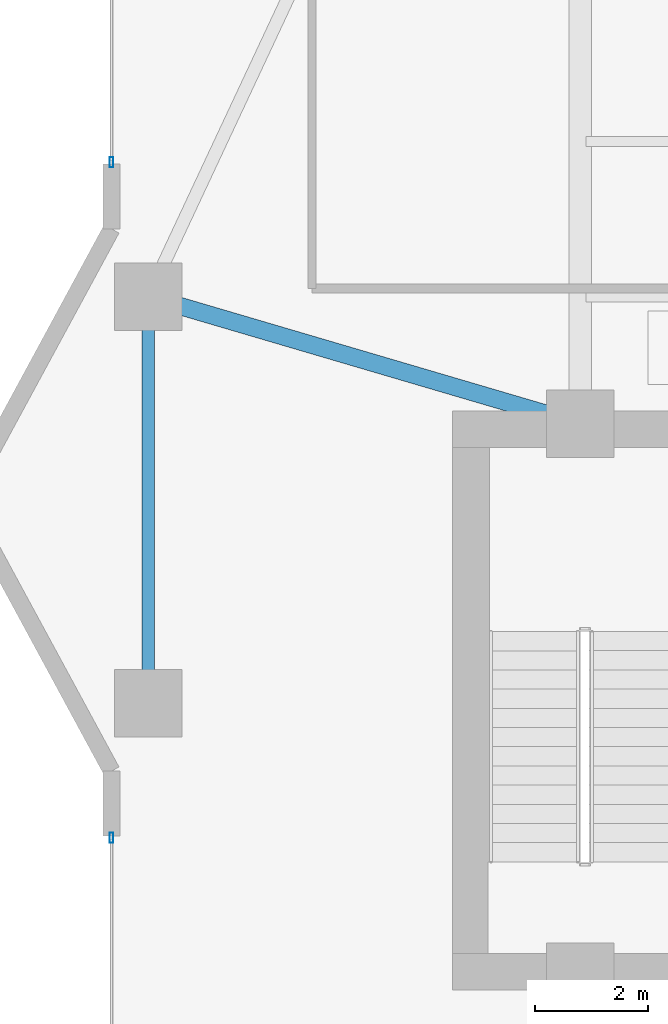
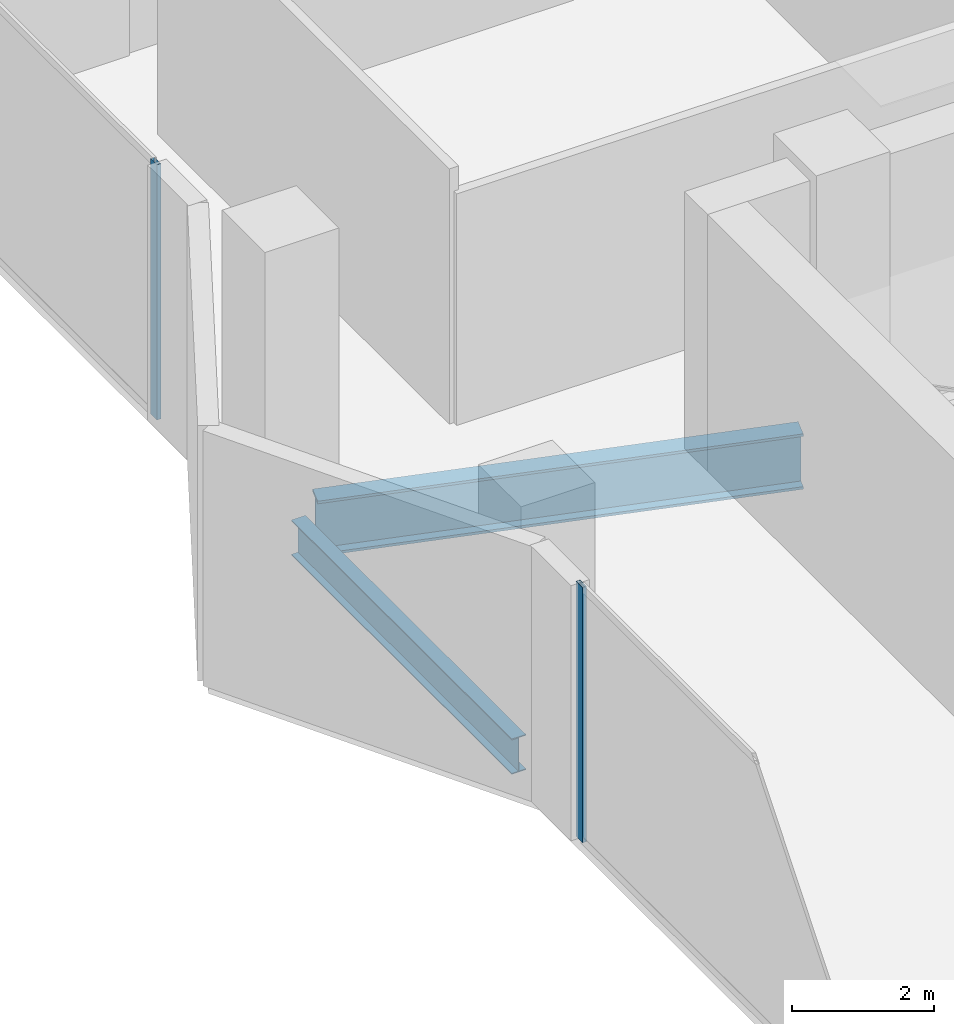
# One storey, part 7 of 31: 2 beams, 2 members, 2 elements without a shape of their own.
"""IFC4 building model written with IfcOpenShell, lengths in metres."""

from ifc_helpers import new_model, si_unit, direction, frame, origin, origin_2d, place, context, subcontext, project, spatial, hollow_rectangle, i_section, extrude, material, layer, layer_set, material_profile, profile_set, type_object, element, aggregate, save


model = new_model("IFC4")

# Units and contexts
model_context = context("Model", 3, precision=1e-05, world=origin(), true_north=direction((0.0, 1.0)))
body_context = subcontext(model_context, "Body", "Model", "MODEL_VIEW")
ifc_project = project(units=[si_unit("LENGTHUNIT", "METRE"), si_unit("AREAUNIT", "SQUARE_METRE"), si_unit("VOLUMEUNIT", "CUBIC_METRE"), si_unit("PLANEANGLEUNIT", "RADIAN"), si_unit("MASSUNIT", "GRAM", prefix="KILO")], contexts=[model_context])

# Site, building, storey
site_placement = place(None, origin())
site = spatial("IfcSite", under=ifc_project, at=site_placement, CompositionType="ELEMENT")
building_placement = place(site_placement, origin())
building = spatial("IfcBuilding", under=site, at=building_placement, Name="Zuhayl Quay Hotel", CompositionType="ELEMENT")
storey_placement = place(building_placement, frame((0.0, 0.0, 172.800048828125)))
storey = spatial("IfcBuildingStorey", under=building, at=storey_placement, Name="L43", CompositionType="ELEMENT", Elevation=172.800048828125)

# Beams
ifc_material_1 = material(Name="Steel ASTM A992 Grade 50", Category="steel")
ifc_material_profile_1 = material_profile(ifc_material_1, i_section(OverallWidth=0.22802734375, OverallDepth=0.60693359375, WebThickness=0.01123046875, FlangeThickness=0.017333984375, at=origin_2d()), Name="W24X76")
ifc_profile_set_1 = profile_set([ifc_material_profile_1], Name="Steel ASTM A992 Grade 50")
beam_type_1 = type_object("IfcBeamType", Name="BM_B3_W24X76", PredefinedType="BEAM", material=ifc_profile_set_1)
beam_1_placement = place(storey_placement, frame((-21.449951171875, 16.10009765625, -0.5234375), z_axis=(0.0, -1.0, 0.0), x_axis=(1.0, 0.0, 0.0)))
element("IfcBeam", 1, at=beam_1_placement, inside=storey, type_object=beam_type_1, Name="L43 Floor Beam RG_L43_11", PredefinedType="BEAM", context=body_context, shape_type="SweptSolid", body=[
    extrude(i_section(OverallWidth=0.22802734375, OverallDepth=0.60693359375, WebThickness=0.01123046875, FlangeThickness=0.017333984375, at=origin_2d()), origin(), (0.0, 0.0, 1.0), 6.2001953125),
])
ifc_material_profile_2 = material_profile(ifc_material_1, i_section(OverallWidth=0.31005859375, OverallDepth=0.949951171875, WebThickness=0.0244140625, FlangeThickness=0.0439453125, at=origin_2d()), Name="W36X256")
ifc_profile_set_2 = profile_set([ifc_material_profile_2], Name="Steel ASTM A992 Grade 50")
beam_type_2 = type_object("IfcBeamType", Name="BM_PG1_W36X256", PredefinedType="BEAM", material=ifc_profile_set_2)
beam_2_placement = place(storey_placement, frame((-20.97021484375, 16.458984375, -0.695068359375), z_axis=(0.959364948093, -0.282168205812, 0.0), x_axis=(0.282168205812, 0.959364948093, 0.0)))
element("IfcBeam", 2, at=beam_2_placement, inside=storey, type_object=beam_type_2, Name="L43 Floor Beam FG_W_L43_2", PredefinedType="BEAM", context=body_context, shape_type="SweptSolid", body=[
    extrude(i_section(OverallWidth=0.31005859375, OverallDepth=0.949951171875, WebThickness=0.0244140625, FlangeThickness=0.0439453125, at=origin_2d()), origin(), (0.0, 0.0, 1.0), 7.02392578125),
])

# Curtain wall, member
ifc_material_2 = material(Name="Anodised Aluminium 6063-T6", Category="aluminium")
ifc_layer = layer(ifc_material_2, 0.175048828125, Name="Anodised Aluminium 6063-T6", Category="aluminium")
ifc_layer_set = layer_set([ifc_layer], Name="Anodised Aluminium 6063-T6")
curtain_wall_type = type_object("IfcCurtainWallType", Name="CW_SYS_Z3", PredefinedType="USERDEFINED", material=ifc_layer_set)
curtain_wall_1_placement = place(storey_placement, origin())
curtain_wall_1 = element("IfcCurtainWall", 3, at=curtain_wall_1_placement, inside=storey, type_object=curtain_wall_type, Name="L43 Curtain Wall ENV_L43_E02_CW1", ObjectType="UNITISED CURTAIN WALL", PredefinedType="USERDEFINED")
ifc_material_3 = material(Name="Black-anodised aluminium 6063-T6", Category="aluminium")
ifc_material_profile_3 = material_profile(ifc_material_3, hollow_rectangle(XDim=0.06494140625, YDim=0.179931640625, WallThickness=0.00341796875, at=origin_2d()), Name="ALU180X65")
ifc_profile_set_3 = profile_set([ifc_material_profile_3], Name="Black-anodised aluminium 6063-T6")
member_type = type_object("IfcMemberType", Name="MB_CW_MUL_180", PredefinedType="MULLION", material=ifc_profile_set_3)
member_1_placement = place(storey_placement, frame((-22.10009765625, 7.017578125, 0.0), z_axis=(0.0, 0.0, 1.0), x_axis=(-1.0, 0.0, 0.0)))
member_1 = element("IfcMember", 4, at=member_1_placement, type_object=member_type, Name="CW-Z3 mullion 2", PredefinedType="MULLION", context=body_context, shape_type="SweptSolid", body=[
    extrude(hollow_rectangle(XDim=0.06494140625, YDim=0.179931640625, WallThickness=0.00341796875, at=origin_2d()), origin(), (0.0, 0.0, 1.0), 4.3798828125),
])
aggregate(curtain_wall_1, [member_1])

curtain_wall_2_placement = place(storey_placement, origin())
curtain_wall_2 = element("IfcCurtainWall", 5, at=curtain_wall_2_placement, inside=storey, type_object=curtain_wall_type, Name="L43 Curtain Wall ENV_L43_E05_CW1", ObjectType="UNITISED CURTAIN WALL", PredefinedType="USERDEFINED")
member_2_placement = place(storey_placement, frame((-22.10009765625, 18.982421875, 0.0), z_axis=(0.0, 0.0, 1.0), x_axis=(-1.0, 0.0, 0.0)))
member_2 = element("IfcMember", 6, at=member_2_placement, type_object=member_type, Name="CW-Z3 mullion 1", PredefinedType="MULLION", context=body_context, shape_type="SweptSolid", body=[
    extrude(hollow_rectangle(XDim=0.06494140625, YDim=0.179931640625, WallThickness=0.00341796875, at=origin_2d()), origin(), (0.0, 0.0, 1.0), 4.3798828125),
])
aggregate(curtain_wall_2, [member_2])

save(model, "model.ifc")
